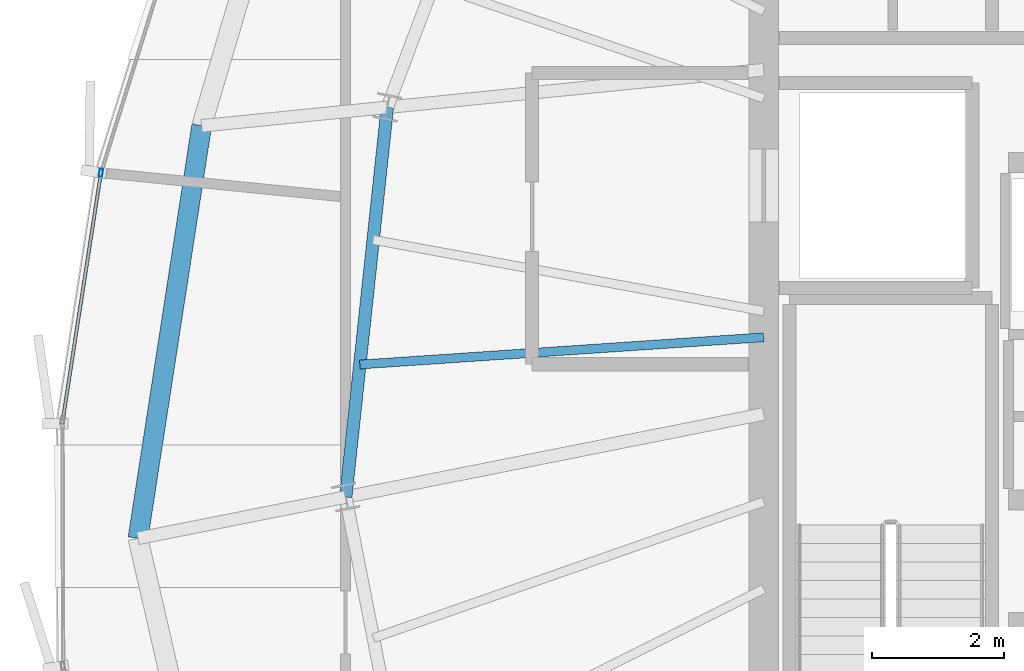
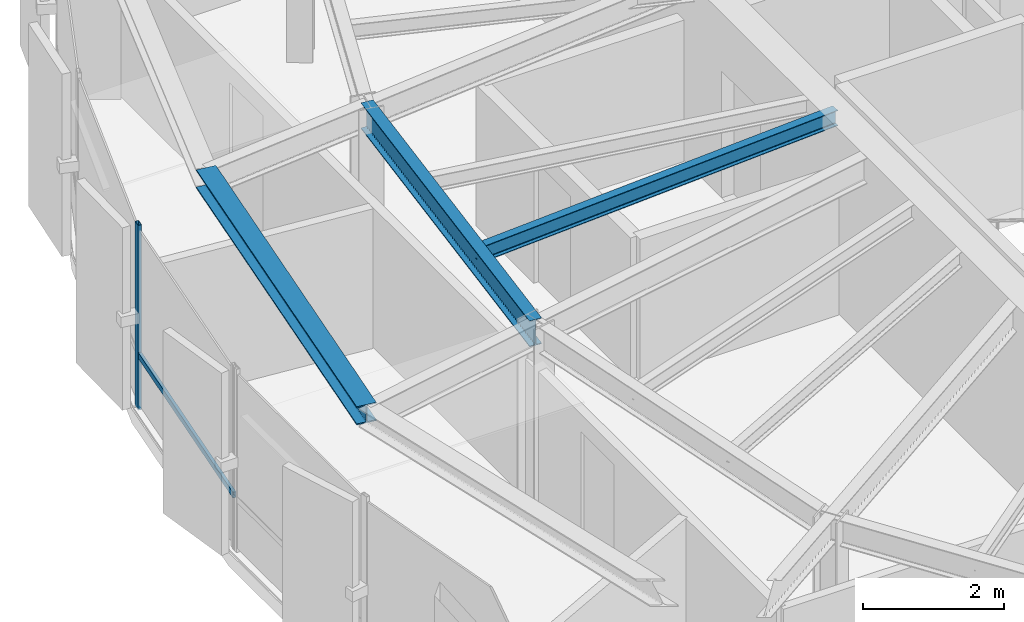
# One storey, part 10 of 31: 3 beams, 2 members, 1 element without a shape of its own.
"""IFC4 building model written with IfcOpenShell, lengths in metres."""

from ifc_helpers import new_model, si_unit, direction, frame, origin, origin_2d, place, context, subcontext, project, spatial, hollow_rectangle, i_section, extrude, source, transform, mapped, material, layer, layer_set, material_profile, profile_set, type_object, element, aggregate, save


model = new_model("IFC4")

# Units and contexts
model_context = context("Model", 3, precision=1e-05, world=origin(), true_north=direction((0.0, 1.0)))
body_context = subcontext(model_context, "Body", "Model", "MODEL_VIEW")
ifc_project = project(units=[si_unit("LENGTHUNIT", "METRE"), si_unit("AREAUNIT", "SQUARE_METRE"), si_unit("VOLUMEUNIT", "CUBIC_METRE"), si_unit("PLANEANGLEUNIT", "RADIAN"), si_unit("MASSUNIT", "GRAM", prefix="KILO"), si_unit("THERMODYNAMICTEMPERATUREUNIT", "KELVIN")], contexts=[model_context])

# Site, building, storey
site_placement = place(None, origin())
site = spatial("IfcSite", under=ifc_project, at=site_placement, CompositionType="ELEMENT")
building_placement = place(site_placement, origin())
building = spatial("IfcBuilding", under=site, at=building_placement, Name="Kethvar Cultural Tower", CompositionType="ELEMENT")
storey_placement = place(building_placement, frame((0.0, 0.0, 276.699951171875)))
storey = spatial("IfcBuildingStorey", under=building, at=storey_placement, Name="L73", CompositionType="ELEMENT", Elevation=276.699951171875)

# Beams
ifc_material_1 = material(Name="Steel S355J2", Category="steel")
ifc_material_profile_1 = material_profile(ifc_material_1, i_section(OverallWidth=0.18994140625, OverallDepth=0.449951171875, WebThickness=0.009521484375, FlangeThickness=0.0146484375, FilletRadius=0.02099609375, at=origin_2d()), Name="Steel S355J2 — IPE450")
ifc_profile_set_1 = profile_set([ifc_material_profile_1], Name="Steel S355J2 — IPE450")
beam_type_1 = type_object("IfcBeamType", Name="BM-IPE450", PredefinedType="BEAM", material=ifc_profile_set_1)
shared_shape_1 = source(origin(), body_context, "Body", "SweptSolid", [
    extrude(i_section(OverallWidth=0.18994140625, OverallDepth=0.449951171875, WebThickness=0.009521484375, FlangeThickness=0.0146484375, FilletRadius=0.02099609375, at=origin_2d()), origin(), (0.0, 0.0, 1.0), 5.92236328125),
])
beam_1_placement = place(storey_placement, frame((32.3125, 30.681884765625, 2.983154296875), z_axis=(-0.106272578913, -0.994337034899, 0.0), x_axis=(0.994337034899, -0.106272578913, 0.0)))
element("IfcBeam", 1, at=beam_1_placement, inside=storey, type_object=beam_type_1, Name="L73 Column Ring Tie Beam CR-08", PredefinedType="BEAM", context=body_context, shape_type="MappedRepresentation", body=[
    mapped(shared_shape_1, transform((0.0, 0.0, 0.0), scale=1.0)),
])
ifc_material_profile_2 = material_profile(ifc_material_1, i_section(OverallWidth=0.135009765625, OverallDepth=0.27001953125, WebThickness=0.006591796875, FlangeThickness=0.01025390625, FilletRadius=0.014892578125, at=origin_2d()), Name="Steel S355J2 — IPE270")
ifc_profile_set_2 = profile_set([ifc_material_profile_2], Name="Steel S355J2 — IPE270")
beam_type_2 = type_object("IfcBeamType", Name="BM-J270", PredefinedType="JOIST", material=ifc_profile_set_2)
shared_shape_2 = source(origin(), body_context, "Body", "SweptSolid", [
    extrude(i_section(OverallWidth=0.135009765625, OverallDepth=0.27001953125, WebThickness=0.006591796875, FlangeThickness=0.01025390625, FilletRadius=0.014892578125, at=origin_2d()), origin(), (0.0, 0.0, 1.0), 6.116943359375),
])
beam_2_placement = place(storey_placement, frame((38.0, 27.206787109375, 3.072998046875), z_axis=(-0.997733289627, -0.067292516454, 0.0), x_axis=(0.067292516454, -0.997733289627, 0.0)))
element("IfcBeam", 2, at=beam_2_placement, inside=storey, type_object=beam_type_2, Name="L73 Composite Floor Joist J-08B", PredefinedType="JOIST", context=body_context, shape_type="MappedRepresentation", body=[
    mapped(shared_shape_2, transform((0.0, 0.0, 0.0), scale=1.0)),
])
ifc_material_profile_3 = material_profile(ifc_material_1, i_section(OverallWidth=0.300048828125, OverallDepth=0.320068359375, WebThickness=0.011474609375, FlangeThickness=0.0205078125, FilletRadius=0.027099609375, at=origin_2d()), Name="Steel S355J2 — HEB320")
ifc_profile_set_3 = profile_set([ifc_material_profile_3], Name="Steel S355J2 — HEB320")
beam_type_3 = type_object("IfcBeamType", Name="BM-SP320", PredefinedType="SPANDREL", material=ifc_profile_set_3)
shared_shape_3 = source(origin(), body_context, "Body", "SweptSolid", [
    extrude(i_section(OverallWidth=0.300048828125, OverallDepth=0.320068359375, WebThickness=0.011474609375, FlangeThickness=0.0205078125, FilletRadius=0.027099609375, at=origin_2d()), origin(), (0.0, 0.0, 1.0), 6.306640625),
])
beam_3_placement = place(storey_placement, frame((29.506591796875, 30.401611328125, 3.048095703125), z_axis=(-0.152560408724, -0.988294147352, 0.0), x_axis=(0.988294147352, -0.152560408724, 0.0)))
element("IfcBeam", 3, at=beam_3_placement, inside=storey, type_object=beam_type_3, Name="L73 Perimeter Spandrel Beam SP-08", PredefinedType="SPANDREL", context=body_context, shape_type="MappedRepresentation", body=[
    mapped(shared_shape_3, transform((0.0, 0.0, 0.0), scale=1.0)),
])

# Curtain wall, members
ifc_material_2 = material(Name="Aluminium 6063-T6", Category="aluminium")
ifc_layer = layer(ifc_material_2, 0.179931640625, Name="Aluminium 6063-T6", Category="aluminium")
ifc_layer_set = layer_set([ifc_layer], Name="Aluminium 6063-T6 (180 mm)")
curtain_wall_type = type_object("IfcCurtainWallType", Name="CW-SYS-05-Z56", PredefinedType="NOTDEFINED", material=ifc_layer_set)
curtain_wall_placement = place(storey_placement, origin())
curtain_wall = element("IfcCurtainWall", 4, at=curtain_wall_placement, inside=storey, type_object=curtain_wall_type, Name="L73 Curtain Wall Run 02", PredefinedType="NOTDEFINED")
ifc_material_profile_4 = material_profile(ifc_material_2, hollow_rectangle(XDim=0.054931640625, YDim=0.1201171875, WallThickness=0.00390625, at=origin_2d()), Name="Aluminium 6063-T6 — RHS120x55x4")
ifc_profile_set_4 = profile_set([ifc_material_profile_4], Name="Aluminium 6063-T6 — RHS120x55x4")
member_type_1 = type_object("IfcMemberType", Name="CW-SYS-05-Z56-MUL", PredefinedType="MULLION", material=ifc_profile_set_4)
shared_shape_4 = source(origin(), body_context, "Body", "SweptSolid", [
    extrude(hollow_rectangle(XDim=0.054931640625, YDim=0.1201171875, WallThickness=0.00390625, at=origin_2d()), origin(), (0.0, 0.0, 1.0), 3.2099609375),
])
member_1_placement = place(storey_placement, frame((27.98486328125, 29.6923828125, 0.0), z_axis=(0.0, 0.0, 1.0), x_axis=(0.988284387305, -0.152623621397, 0.0)))
member_1 = element("IfcMember", 5, at=member_1_placement, type_object=member_type_1, Name="CW-L73-R02 Mullion 6", PredefinedType="MULLION", context=body_context, shape_type="MappedRepresentation", body=[
    mapped(shared_shape_4, transform((0.0, 0.0, 0.0), scale=1.0)),
])
ifc_material_profile_5 = material_profile(ifc_material_2, hollow_rectangle(XDim=0.050048828125, YDim=0.10009765625, WallThickness=0.00390625, at=origin_2d()), Name="Aluminium 6063-T6 — RHS100x50x4")
ifc_profile_set_5 = profile_set([ifc_material_profile_5], Name="Aluminium 6063-T6 — RHS100x50x4")
member_type_2 = type_object("IfcMemberType", Name="CW-SYS-05-Z56-TRN", PredefinedType="USERDEFINED", material=ifc_profile_set_5)
shared_shape_5 = source(origin(), body_context, "Body", "SweptSolid", [
    extrude(hollow_rectangle(XDim=0.050048828125, YDim=0.10009765625, WallThickness=0.00390625, at=origin_2d()), origin(), (0.0, 0.0, 1.0), 3.7353515625),
])
member_2_placement = place(storey_placement, frame((27.97900390625, 29.6533203125, 0.949951171875), z_axis=(-0.152675976332, -0.988276300561, 0.0), x_axis=(0.988276300561, -0.152675976332, 0.0)))
member_2 = element("IfcMember", 6, at=member_2_placement, type_object=member_type_2, Name="CW-L73-R02 Transom 6", ObjectType="TRANSOM", PredefinedType="USERDEFINED", context=body_context, shape_type="MappedRepresentation", body=[
    mapped(shared_shape_5, transform((0.0, 0.0, 0.0), scale=1.0)),
])
aggregate(curtain_wall, [member_1, member_2])

save(model, "model.ifc")
